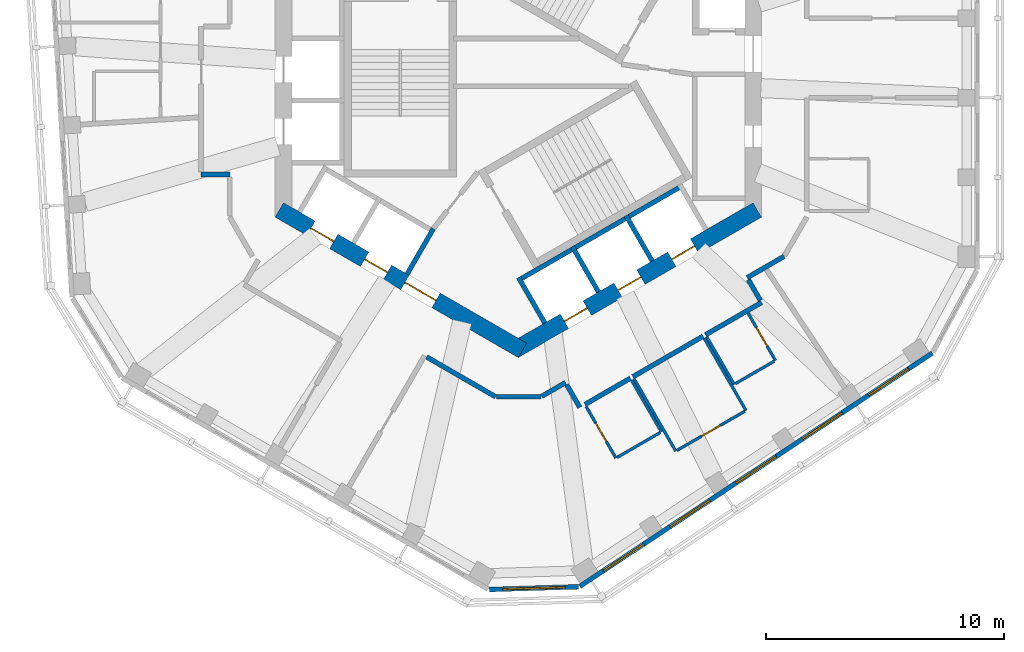
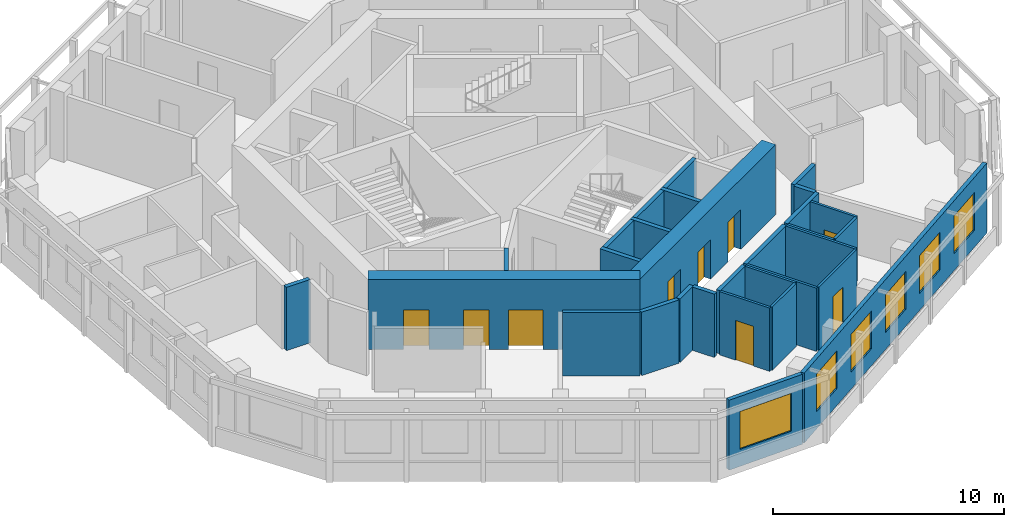
# One storey, part 4 of 11: 28 walls, 9 doors, 6 windows, 15 openings.
"""IFC4 building model written with IfcOpenShell, lengths in metres."""

from ifc_helpers import new_model, si_unit, direction, frame, frame_2d, origin, place, context, subcontext, project, spatial, rectangle, extrude, material, layer, layer_set, type_object, element, fill, save


model = new_model("IFC4")

# Units and contexts
model_context = context("Model", 3, precision=1e-05, world=origin(), true_north=direction((0.0, 1.0)))
body_context = subcontext(model_context, "Body", "Model", "MODEL_VIEW")
ifc_project = project(units=[si_unit("LENGTHUNIT", "METRE"), si_unit("AREAUNIT", "SQUARE_METRE"), si_unit("VOLUMEUNIT", "CUBIC_METRE"), si_unit("PLANEANGLEUNIT", "RADIAN"), si_unit("MASSUNIT", "GRAM", prefix="KILO")], contexts=[model_context])

# Site, building, storey
site_placement = place(None, origin())
site = spatial("IfcSite", under=ifc_project, at=site_placement, CompositionType="ELEMENT")
building_placement = place(site_placement, origin())
building = spatial("IfcBuilding", under=site, at=building_placement, Name="Vanh Sen Convention Tower", CompositionType="ELEMENT")
storey_placement = place(building_placement, frame((0.0, 0.0, 296.800048828125)))
storey = spatial("IfcBuildingStorey", under=building, at=storey_placement, Name="L73", CompositionType="ELEMENT", Elevation=296.800048828125)

# Wall, opening, door
ifc_material_1 = material(Name="Moisture-resistant gypsum board on steel studs", Category="steel")
ifc_layer_1 = layer(ifc_material_1, 0.1201171875)
ifc_layer_set_1 = layer_set([ifc_layer_1], Name="Moisture-resistant gypsum board on steel studs")
wall_type_1 = type_object("IfcWallType", Name="Bathroom partition 120", PredefinedType="PARTITIONING", material=ifc_layer_set_1)
wall_1_placement = place(storey_placement, frame((4.095703125, -15.99609375, 0.0), z_axis=(0.0, 0.0, 1.0), x_axis=(-0.500004234368, 0.866022959057, 0.0)))
wall_1 = element("IfcWall", 1, at=wall_1_placement, inside=storey, type_object=wall_type_1, Name="Bathroom partition 120", PredefinedType="PARTITIONING", context=body_context, shape_type="SweptSolid", body=[
    extrude(rectangle(XDim=2.5, YDim=0.1201171875, at=frame_2d((1.25, 0.0))), origin(), (0.0, 0.0, 1.0), 3.349853515625),
])
opening_1_placement = place(wall_1_placement, frame((0.800048828125, 0.0, 0.0)))
opening_1 = element("IfcOpeningElement", 2, at=opening_1_placement, cuts=wall_1, Name="Opening D72116", PredefinedType="OPENING", context=body_context, shape_type="SweptSolid", body=[
    extrude(rectangle(XDim=0.89990234375, YDim=2.10009765625, at=frame_2d((0.449951171875, 1.050048828125))), frame((0.0, 0.070068359375, 0.0), z_axis=(0.0, -1.0, 0.0), x_axis=(1.0, 0.0, 0.0)), (0.0, 0.0, 1.0), 0.14013671875),
])
ifc_material_2 = material(Name="Laminate door in steel frame", Category="steel")
door_type_1 = type_object("IfcDoorType", Name="Room internal door 900", OperationType="SINGLE_SWING_LEFT", PredefinedType="DOOR", material=ifc_material_2)
door_1_placement = place(opening_1_placement, origin())
door_1 = element("IfcDoor", 3, at=door_1_placement, inside=storey, type_object=door_type_1, Name="Internal room door D72116", OperationType="SINGLE_SWING_LEFT", OverallHeight=2.10009765625, OverallWidth=0.89990234375, PredefinedType="DOOR", context=body_context, shape_type="SweptSolid", body=[
    extrude(rectangle(XDim=0.89990234375, YDim=2.10009765625, at=frame_2d((0.449951171875, 1.050048828125))), frame((0.0, 0.02490234375, 0.0), z_axis=(0.0, -1.0, 0.0), x_axis=(1.0, 0.0, 0.0)), (0.0, 0.0, 1.0), 0.050048828125),
])
fill(opening_1, door_1)

# Walls
wall_2_placement = place(storey_placement, frame((4.751220703125, -12.731201171875, 0.0), z_axis=(0.0, 0.0, 1.0), x_axis=(0.500004234368, -0.866022959057, 0.0)))
element("IfcWall", 4, at=wall_2_placement, inside=storey, type_object=wall_type_1, Name="Bathroom partition 120", PredefinedType="PARTITIONING", context=body_context, shape_type="SweptSolid", body=[
    extrude(rectangle(XDim=2.5, YDim=0.1201171875, at=frame_2d((1.25, 0.0))), origin(), (0.0, 0.0, 1.0), 3.349853515625),
])
wall_3_placement = place(storey_placement, frame((5.94921875, -14.92626953125, 0.0), z_axis=(0.0, 0.0, 1.0), x_axis=(-0.866039004929, -0.499976441387, 0.0)))
element("IfcWall", 5, at=wall_3_placement, inside=storey, type_object=wall_type_1, Name="Bathroom partition 120", PredefinedType="PARTITIONING", context=body_context, shape_type="SweptSolid", body=[
    extrude(rectangle(XDim=2.080078125, YDim=0.1201171875, at=frame_2d((1.0400390625, 0.0))), origin(), (0.0, 0.0, 1.0), 3.349853515625),
])
for number, where, z_axis, x_axis, name in (
    (6, (6.60498046875, -15.7021484375, 0.0), (0.0, 0.0, 1.0), (-0.500010275428, 0.866019471182, 0.0), "Bathroom partition 120"),
    (7, (7.799560546875, -10.97119140625, 0.0), (0.0, 0.0, 1.0), (0.500010275428, -0.866019471182, 0.0), "Bathroom partition 120"),
):
    element("IfcWall", number, at=place(storey_placement, frame(where, z_axis=z_axis, x_axis=x_axis)), inside=storey, type_object=wall_type_1, Name=name, PredefinedType="PARTITIONING", context=body_context, shape_type="SweptSolid", body=[
        extrude(rectangle(XDim=3.5, YDim=0.1201171875, at=frame_2d((1.75, 0.0))), origin(), (0.0, 0.0, 1.0), 3.349853515625),
    ])
wall_4_placement = place(storey_placement, frame((9.053466796875, -12.903076171875, 0.0), z_axis=(0.0, 0.0, 1.0), x_axis=(-0.500031774688, 0.866007057882, 0.0)))
element("IfcWall", 8, at=wall_4_placement, inside=storey, type_object=wall_type_1, Name="Bathroom partition 120", PredefinedType="PARTITIONING", context=body_context, shape_type="SweptSolid", body=[
    extrude(rectangle(XDim=2.300048828125, YDim=0.1201171875, at=frame_2d((1.14990234375, 0.0))), origin(), (0.0, 0.0, 1.0), 3.349853515625),
])

# Wall, opening, door
wall_5_placement = place(storey_placement, frame((9.49755859375, -14.0322265625, 0.0), z_axis=(0.0, 0.0, 1.0), x_axis=(-0.866040564224, -0.499973740429, 0.0)))
wall_5 = element("IfcWall", 9, at=wall_5_placement, inside=storey, type_object=wall_type_1, Name="Bathroom partition 120", PredefinedType="PARTITIONING", context=body_context, shape_type="SweptSolid", body=[
    extrude(rectangle(XDim=3.280029296875, YDim=0.1201171875, at=frame_2d((1.64013671875, 0.0))), origin(), (0.0, 0.0, 1.0), 3.349853515625),
])
opening_2_placement = place(wall_5_placement, frame((1.18994140625, 0.0, 0.0)))
opening_2 = element("IfcOpeningElement", 10, at=opening_2_placement, cuts=wall_5, Name="Opening D72117", PredefinedType="OPENING", context=body_context, shape_type="SweptSolid", body=[
    extrude(rectangle(XDim=0.89990234375, YDim=2.10009765625, at=frame_2d((0.449951171875, 1.050048828125))), frame((0.0, 0.070068359375, 0.0), z_axis=(0.0, -1.0, 0.0), x_axis=(1.0, 0.0, 0.0)), (0.0, 0.0, 1.0), 0.14013671875),
])
door_2_placement = place(opening_2_placement, origin())
door_2 = element("IfcDoor", 11, at=door_2_placement, inside=storey, type_object=door_type_1, Name="Internal room door D72117", OperationType="SINGLE_SWING_LEFT", OverallHeight=2.10009765625, OverallWidth=0.89990234375, PredefinedType="DOOR", context=body_context, shape_type="SweptSolid", body=[
    extrude(rectangle(XDim=0.89990234375, YDim=2.10009765625, at=frame_2d((0.449951171875, 1.050048828125))), frame((0.0, 0.02490234375, 0.0), z_axis=(0.0, -1.0, 0.0), x_axis=(1.0, 0.0, 0.0)), (0.0, 0.0, 1.0), 0.050048828125),
])
fill(opening_2, door_2)

wall_6_placement = place(storey_placement, frame((9.635498046875, -9.9111328125, 0.0), z_axis=(0.0, 0.0, 1.0), x_axis=(0.499952165731, -0.866053019151, 0.0)))
wall_6 = element("IfcWall", 12, at=wall_6_placement, inside=storey, type_object=wall_type_1, Name="Bathroom partition 120", PredefinedType="PARTITIONING", context=body_context, shape_type="SweptSolid", body=[
    extrude(rectangle(XDim=2.300048828125, YDim=0.1201171875, at=frame_2d((1.14990234375, 0.0))), origin(), (0.0, 0.0, 1.0), 3.349853515625),
])
opening_3_placement = place(wall_6_placement, frame((0.699951171875, 0.0, 0.0)))
opening_3 = element("IfcOpeningElement", 13, at=opening_3_placement, cuts=wall_6, Name="Opening D72118", PredefinedType="OPENING", context=body_context, shape_type="SweptSolid", body=[
    extrude(rectangle(XDim=0.89990234375, YDim=2.10009765625, at=frame_2d((0.449951171875, 1.050048828125))), frame((0.0, 0.070068359375, 0.0), z_axis=(0.0, -1.0, 0.0), x_axis=(1.0, 0.0, 0.0)), (0.0, 0.0, 1.0), 0.14013671875),
])
door_3_placement = place(opening_3_placement, origin())
door_3 = element("IfcDoor", 14, at=door_3_placement, inside=storey, type_object=door_type_1, Name="Internal room door D72118", OperationType="SINGLE_SWING_LEFT", OverallHeight=2.10009765625, OverallWidth=0.89990234375, PredefinedType="DOOR", context=body_context, shape_type="SweptSolid", body=[
    extrude(rectangle(XDim=0.89990234375, YDim=2.10009765625, at=frame_2d((0.449951171875, 1.050048828125))), frame((0.0, 0.02490234375, 0.0), z_axis=(0.0, -1.0, 0.0), x_axis=(1.0, 0.0, 0.0)), (0.0, 0.0, 1.0), 0.050048828125),
])
fill(opening_3, door_3)

# Wall
wall_7_placement = place(storey_placement, frame((10.7333984375, -11.93310546875, 0.0), z_axis=(0.0, 0.0, 1.0), x_axis=(-0.866012558475, -0.500022248069, 0.0)))
element("IfcWall", 15, at=wall_7_placement, inside=storey, type_object=wall_type_1, Name="Bathroom partition 120", PredefinedType="PARTITIONING", context=body_context, shape_type="SweptSolid", body=[
    extrude(rectangle(XDim=1.8798828125, YDim=0.1201171875, at=frame_2d((0.93994140625, 0.0))), origin(), (0.0, 0.0, 1.0), 3.349853515625),
])

# Wall, openings, doors
ifc_material_3 = material(Name="Concrete C60/75", Category="concrete")
ifc_layer_2 = layer(ifc_material_3, 0.699951171875)
ifc_layer_set_2 = layer_set([ifc_layer_2], Name="Concrete C60/75")
wall_type_2 = type_object("IfcWallType", Name="Core outer wall 700 C60/75", PredefinedType="SHEAR", material=ifc_layer_set_2)
wall_8_placement = place(storey_placement, frame((-10.02490234375, -5.5859375, 0.0), z_axis=(0.0, 0.0, 1.0), x_axis=(0.866026453023, -0.499998182661, 0.0)))
wall_8 = element("IfcWall", 16, at=wall_8_placement, inside=storey, type_object=wall_type_2, Name="Core wall face SW L73", PredefinedType="SHEAR", context=body_context, shape_type="SweptSolid", body=[
    extrude(rectangle(XDim=11.77783203125, YDim=0.699951171875, at=frame_2d((5.888916015625, 0.0))), origin(), (0.0, 0.0, 1.0), 3.699951171875),
])
opening_4_placement = place(wall_8_placement, frame((6.089111328125, 0.0, 0.0)))
opening_4 = element("IfcOpeningElement", 17, at=opening_4_placement, cuts=wall_8, Name="Opening D72003", PredefinedType="OPENING", context=body_context, shape_type="SweptSolid", body=[
    extrude(rectangle(XDim=1.5, YDim=2.10009765625, at=frame_2d((0.75, 1.050048828125))), frame((0.0, 0.35986328125, 0.0), z_axis=(0.0, -1.0, 0.0), x_axis=(1.0, 0.0, 0.0)), (0.0, 0.0, 1.0), 0.719970703125),
])
opening_5_placement = place(wall_8_placement, frame((1.5390625, 0.0, 0.0)))
opening_5 = element("IfcOpeningElement", 18, at=opening_5_placement, cuts=wall_8, Name="Opening LD-HR3", PredefinedType="OPENING", context=body_context, shape_type="SweptSolid", body=[
    extrude(rectangle(XDim=1.10009765625, YDim=2.10009765625, at=frame_2d((0.550048828125, 1.050048828125))), frame((0.0, 0.35986328125, 0.0), z_axis=(0.0, -1.0, 0.0), x_axis=(1.0, 0.0, 0.0)), (0.0, 0.0, 1.0), 0.719970703125),
])
opening_6_placement = place(wall_8_placement, frame((4.138916015625, 0.0, 0.0)))
opening_6 = element("IfcOpeningElement", 19, at=opening_6_placement, cuts=wall_8, Name="Opening LD-HR4", PredefinedType="OPENING", context=body_context, shape_type="SweptSolid", body=[
    extrude(rectangle(XDim=1.10009765625, YDim=2.10009765625, at=frame_2d((0.550048828125, 1.050048828125))), frame((0.0, 0.35986328125, 0.0), z_axis=(0.0, -1.0, 0.0), x_axis=(1.0, 0.0, 0.0)), (0.0, 0.0, 1.0), 0.719970703125),
])
ifc_material_4 = material(Name="Stainless steel", Category="steel")
door_type_2 = type_object("IfcDoorType", Name="Lift landing door 1100", OperationType="DOUBLE_DOOR_SLIDING", PredefinedType="DOOR", material=ifc_material_4)
door_4_placement = place(opening_5_placement, origin())
door_4 = element("IfcDoor", 20, at=door_4_placement, inside=storey, type_object=door_type_2, Name="Lift HR3 landing door LD-HR3", OperationType="DOUBLE_DOOR_SLIDING", OverallHeight=2.10009765625, OverallWidth=1.10009765625, PredefinedType="DOOR", context=body_context, shape_type="SweptSolid", body=[
    extrude(rectangle(XDim=1.10009765625, YDim=2.10009765625, at=frame_2d((0.550048828125, 1.050048828125))), frame((0.0, 0.02490234375, 0.0), z_axis=(0.0, -1.0, 0.0), x_axis=(1.0, 0.0, 0.0)), (0.0, 0.0, 1.0), 0.050048828125),
])
fill(opening_5, door_4)
door_5_placement = place(opening_6_placement, origin())
door_5 = element("IfcDoor", 21, at=door_5_placement, inside=storey, type_object=door_type_2, Name="Lift HR4 landing door LD-HR4", OperationType="DOUBLE_DOOR_SLIDING", OverallHeight=2.10009765625, OverallWidth=1.10009765625, PredefinedType="DOOR", context=body_context, shape_type="SweptSolid", body=[
    extrude(rectangle(XDim=1.10009765625, YDim=2.10009765625, at=frame_2d((0.550048828125, 1.050048828125))), frame((0.0, 0.02490234375, 0.0), z_axis=(0.0, -1.0, 0.0), x_axis=(1.0, 0.0, 0.0)), (0.0, 0.0, 1.0), 0.050048828125),
])
fill(opening_6, door_5)
ifc_material_5 = material(Name="Steel S355", Category="steel")
door_type_3 = type_object("IfcDoorType", Name="Stair lobby door 1500", OperationType="DOUBLE_DOOR_SINGLE_SWING", PredefinedType="DOOR", material=ifc_material_5)
door_6_placement = place(opening_4_placement, origin())
door_6 = element("IfcDoor", 22, at=door_6_placement, inside=storey, type_object=door_type_3, Name="Stair lobby door D72003", OperationType="DOUBLE_DOOR_SINGLE_SWING", OverallHeight=2.10009765625, OverallWidth=1.5, PredefinedType="DOOR", context=body_context, shape_type="SweptSolid", body=[
    extrude(rectangle(XDim=1.5, YDim=2.10009765625, at=frame_2d((0.75, 1.050048828125))), frame((0.0, 0.02490234375, 0.0), z_axis=(0.0, -1.0, 0.0), x_axis=(1.0, 0.0, 0.0)), (0.0, 0.0, 1.0), 0.050048828125),
])
fill(opening_4, door_6)

wall_9_placement = place(storey_placement, frame((-0.175048828125, -11.474853515625, 0.0), z_axis=(0.0, 0.0, 1.0), x_axis=(0.866026453023, 0.499998182661, 0.0)))
wall_9 = element("IfcWall", 23, at=wall_9_placement, inside=storey, type_object=wall_type_2, Name="Core wall face SE L73", PredefinedType="SHEAR", context=body_context, shape_type="SweptSolid", body=[
    extrude(rectangle(XDim=11.77783203125, YDim=0.699951171875, at=frame_2d((5.888916015625, 0.0))), origin(), (0.0, 0.0, 1.0), 3.699951171875),
])
opening_7_placement = place(wall_9_placement, frame((2.43896484375, 0.0, 0.0)))
opening_7 = element("IfcOpeningElement", 24, at=opening_7_placement, cuts=wall_9, Name="Opening LD-HR5", PredefinedType="OPENING", context=body_context, shape_type="SweptSolid", body=[
    extrude(rectangle(XDim=1.10009765625, YDim=2.10009765625, at=frame_2d((0.550048828125, 1.050048828125))), frame((0.0, 0.35986328125, 0.0), z_axis=(0.0, -1.0, 0.0), x_axis=(1.0, 0.0, 0.0)), (0.0, 0.0, 1.0), 0.719970703125),
])
opening_8_placement = place(wall_9_placement, frame((5.0390625, 0.0, 0.0)))
opening_8 = element("IfcOpeningElement", 25, at=opening_8_placement, cuts=wall_9, Name="Opening LD-HR6", PredefinedType="OPENING", context=body_context, shape_type="SweptSolid", body=[
    extrude(rectangle(XDim=1.10009765625, YDim=2.10009765625, at=frame_2d((0.550048828125, 1.050048828125))), frame((0.0, 0.35986328125, 0.0), z_axis=(0.0, -1.0, 0.0), x_axis=(1.0, 0.0, 0.0)), (0.0, 0.0, 1.0), 0.719970703125),
])
opening_9_placement = place(wall_9_placement, frame((7.638916015625, 0.0, 0.0)))
opening_9 = element("IfcOpeningElement", 26, at=opening_9_placement, cuts=wall_9, Name="Opening LD-SV1", PredefinedType="OPENING", context=body_context, shape_type="SweptSolid", body=[
    extrude(rectangle(XDim=1.10009765625, YDim=2.10009765625, at=frame_2d((0.550048828125, 1.050048828125))), frame((0.0, 0.35986328125, 0.0), z_axis=(0.0, -1.0, 0.0), x_axis=(1.0, 0.0, 0.0)), (0.0, 0.0, 1.0), 0.719970703125),
])
door_7_placement = place(opening_7_placement, origin())
door_7 = element("IfcDoor", 27, at=door_7_placement, inside=storey, type_object=door_type_2, Name="Lift HR5 landing door LD-HR5", OperationType="DOUBLE_DOOR_SLIDING", OverallHeight=2.10009765625, OverallWidth=1.10009765625, PredefinedType="DOOR", context=body_context, shape_type="SweptSolid", body=[
    extrude(rectangle(XDim=1.10009765625, YDim=2.10009765625, at=frame_2d((0.550048828125, 1.050048828125))), frame((0.0, 0.02490234375, 0.0), z_axis=(0.0, -1.0, 0.0), x_axis=(1.0, 0.0, 0.0)), (0.0, 0.0, 1.0), 0.050048828125),
])
fill(opening_7, door_7)
door_8_placement = place(opening_8_placement, origin())
door_8 = element("IfcDoor", 28, at=door_8_placement, inside=storey, type_object=door_type_2, Name="Lift HR6 landing door LD-HR6", OperationType="DOUBLE_DOOR_SLIDING", OverallHeight=2.10009765625, OverallWidth=1.10009765625, PredefinedType="DOOR", context=body_context, shape_type="SweptSolid", body=[
    extrude(rectangle(XDim=1.10009765625, YDim=2.10009765625, at=frame_2d((0.550048828125, 1.050048828125))), frame((0.0, 0.02490234375, 0.0), z_axis=(0.0, -1.0, 0.0), x_axis=(1.0, 0.0, 0.0)), (0.0, 0.0, 1.0), 0.050048828125),
])
fill(opening_8, door_8)
door_9_placement = place(opening_9_placement, origin())
door_9 = element("IfcDoor", 29, at=door_9_placement, inside=storey, type_object=door_type_2, Name="Lift SV1 landing door LD-SV1", OperationType="DOUBLE_DOOR_SLIDING", OverallHeight=2.10009765625, OverallWidth=1.10009765625, PredefinedType="DOOR", context=body_context, shape_type="SweptSolid", body=[
    extrude(rectangle(XDim=1.10009765625, YDim=2.10009765625, at=frame_2d((0.550048828125, 1.050048828125))), frame((0.0, 0.02490234375, 0.0), z_axis=(0.0, -1.0, 0.0), x_axis=(1.0, 0.0, 0.0)), (0.0, 0.0, 1.0), 0.050048828125),
])
fill(opening_9, door_9)

# Walls
ifc_material_6 = material(Name="Gypsum board on steel studs with mineral wool", Category="steel")
ifc_layer_3 = layer(ifc_material_6, 0.199951171875)
ifc_layer_set_3 = layer_set([ifc_layer_3], Name="Gypsum board on steel studs with mineral wool")
wall_type_3 = type_object("IfcWallType", Name="Corridor partition wall 200", PredefinedType="PARTITIONING", material=ifc_layer_set_3)
wall_10_placement = place(storey_placement, frame((-13.301025390625, -4.10107421875, 0.0), z_axis=(0.0, 0.0, 1.0), x_axis=(1.0, 0.0, 0.0)))
element("IfcWall", 30, at=wall_10_placement, inside=storey, type_object=wall_type_3, Name="Corridor partition wall 200", PredefinedType="PARTITIONING", context=body_context, shape_type="SweptSolid", body=[
    extrude(rectangle(XDim=1.200927734375, YDim=0.199951171875, at=frame_2d((0.6005859375, 0.0))), origin(), (0.0, 0.0, 1.0), 3.349853515625),
])
wall_11_placement = place(storey_placement, frame((-3.84326171875, -11.7529296875, 0.0), z_axis=(0.0, 0.0, 1.0), x_axis=(0.866031037473, -0.499990242038, 0.0)))
element("IfcWall", 31, at=wall_11_placement, inside=storey, type_object=wall_type_3, Name="Corridor partition wall 200", PredefinedType="PARTITIONING", context=body_context, shape_type="SweptSolid", body=[
    extrude(rectangle(XDim=3.3408203125, YDim=0.199951171875, at=frame_2d((1.67041015625, 0.0))), origin(), (0.0, 0.0, 1.0), 3.349853515625),
])
wall_12_placement = place(storey_placement, frame((-0.909912109375, -13.42333984375, 0.0), z_axis=(0.0, 0.0, 1.0), x_axis=(1.0, 0.0, 0.0)))
element("IfcWall", 32, at=wall_12_placement, inside=storey, type_object=wall_type_3, Name="Corridor partition wall 200", PredefinedType="PARTITIONING", context=body_context, shape_type="SweptSolid", body=[
    extrude(rectangle(XDim=1.85986328125, YDim=0.199951171875, at=frame_2d((0.929931640625, 0.0))), origin(), (0.0, 0.0, 1.0), 3.349853515625),
])
wall_13_placement = place(storey_placement, frame((0.984619140625, -13.4033203125, 0.0), z_axis=(0.0, 0.0, 1.0), x_axis=(0.866022668282, 0.500004737999, 0.0)))
element("IfcWall", 33, at=wall_13_placement, inside=storey, type_object=wall_type_3, Name="Corridor partition wall 200", PredefinedType="PARTITIONING", context=body_context, shape_type="SweptSolid", body=[
    extrude(rectangle(XDim=1.14794921875, YDim=0.199951171875, at=frame_2d((0.573974609375, 0.0))), origin(), (0.0, 0.0, 1.0), 3.349853515625),
])
wall_14_placement = place(storey_placement, frame((2.02880859375, -12.916015625, 0.0), z_axis=(0.0, 0.0, 1.0), x_axis=(0.500074377092, -0.865982457891, 0.0)))
element("IfcWall", 34, at=wall_14_placement, inside=storey, type_object=wall_type_3, Name="Corridor partition wall 200", PredefinedType="PARTITIONING", context=body_context, shape_type="SweptSolid", body=[
    extrude(rectangle(XDim=1.100830078125, YDim=0.199951171875, at=frame_2d((0.55029296875, 0.0))), origin(), (0.0, 0.0, 1.0), 3.349853515625),
])
wall_15_placement = place(storey_placement, frame((2.7958984375, -13.744384765625, 0.0), z_axis=(0.0, 0.0, 1.0), x_axis=(0.86605622881, 0.499946605688, 0.0)))
element("IfcWall", 35, at=wall_15_placement, inside=storey, type_object=wall_type_3, Name="Corridor partition wall 200", PredefinedType="PARTITIONING", context=body_context, shape_type="SweptSolid", body=[
    extrude(rectangle(XDim=2.199951171875, YDim=0.199951171875, at=frame_2d((1.10009765625, 0.0))), origin(), (0.0, 0.0, 1.0), 3.349853515625),
])
wall_16_placement = place(storey_placement, frame((4.804931640625, -12.58447265625, 0.0), z_axis=(0.0, 0.0, 1.0), x_axis=(0.866038511948, 0.499977295307, 0.0)))
element("IfcWall", 36, at=wall_16_placement, inside=storey, type_object=wall_type_3, Name="Corridor partition wall 200", PredefinedType="PARTITIONING", context=body_context, shape_type="SweptSolid", body=[
    extrude(rectangle(XDim=3.400146484375, YDim=0.199951171875, at=frame_2d((1.7001953125, 0.0))), origin(), (0.0, 0.0, 1.0), 3.349853515625),
])
wall_17_placement = place(storey_placement, frame((7.853515625, -10.824462890625, 0.0), z_axis=(0.0, 0.0, 1.0), x_axis=(0.866029675718, 0.499992600721, 0.0)))
element("IfcWall", 37, at=wall_17_placement, inside=storey, type_object=wall_type_3, Name="Corridor partition wall 200", PredefinedType="PARTITIONING", context=body_context, shape_type="SweptSolid", body=[
    extrude(rectangle(XDim=2.7119140625, YDim=0.199951171875, at=frame_2d((1.35595703125, 0.0))), origin(), (0.0, 0.0, 1.0), 3.349853515625),
])
wall_18_placement = place(storey_placement, frame((9.6015625, -8.428466796875, 0.0), z_axis=(0.0, 0.0, 1.0), x_axis=(0.865999114786, 0.500045531117, 0.0)))
element("IfcWall", 38, at=wall_18_placement, inside=storey, type_object=wall_type_3, Name="Corridor partition wall 200", PredefinedType="PARTITIONING", context=body_context, shape_type="SweptSolid", body=[
    extrude(rectangle(XDim=1.787841796875, YDim=0.199951171875, at=frame_2d((0.89404296875, 0.0))), origin(), (0.0, 0.0, 1.0), 3.349853515625),
])
wall_19_placement = place(storey_placement, frame((10.152099609375, -9.3818359375, 0.0), z_axis=(0.0, 0.0, 1.0), x_axis=(-0.499968756647, 0.866043441391, 0.0)))
element("IfcWall", 39, at=wall_19_placement, inside=storey, type_object=wall_type_3, Name="Corridor partition wall 200", PredefinedType="PARTITIONING", context=body_context, shape_type="SweptSolid", body=[
    extrude(rectangle(XDim=1.0009765625, YDim=0.199951171875, at=frame_2d((0.50048828125, 0.0))), origin(), (0.0, 0.0, 1.0), 3.349853515625),
])

# Wall, opening, window
ifc_material_7 = material(Name="Insulated lightweight infill wall")
ifc_layer_4 = layer(ifc_material_7, 0.199951171875)
ifc_layer_set_4 = layer_set([ifc_layer_4], Name="Insulated lightweight infill wall")
wall_type_4 = type_object("IfcWallType", Name="External wall 200", PredefinedType="STANDARD", material=ifc_layer_set_4)
wall_20_placement = place(storey_placement, frame((-1.21728515625, -21.508056640625, 0.0), z_axis=(0.0, 0.0, 1.0), x_axis=(0.99953295295, 0.030559384285, 0.0)))
wall_20 = element("IfcWall", 40, at=wall_20_placement, inside=storey, type_object=wall_type_4, Name="External wall CH5 L73", PredefinedType="STANDARD", context=body_context, shape_type="SweptSolid", body=[
    extrude(rectangle(XDim=3.746826171875, YDim=0.199951171875, at=frame_2d((1.87353515625, 0.0))), origin(), (0.0, 0.0, 1.0), 3.699951171875),
])
opening_10_placement = place(wall_20_placement, frame((0.573486328125, 0.0, 0.89990234375)))
opening_10 = element("IfcOpeningElement", 41, at=opening_10_placement, cuts=wall_20, Name="Opening WO6-CH51", PredefinedType="OPENING", context=body_context, shape_type="SweptSolid", body=[
    extrude(rectangle(XDim=2.60009765625, YDim=2.0, at=frame_2d((1.300048828125, 1.0))), frame((0.0, 0.10986328125, 0.0), z_axis=(0.0, -1.0, 0.0), x_axis=(1.0, 0.0, 0.0)), (0.0, 0.0, 1.0), 0.219970703125),
])
ifc_material_8 = material(Name="Aluminium frame with clear low-emissivity glass", Category="aluminium")
window_type_1 = type_object("IfcWindowType", Name="Office window 2600 x 2000", PartitioningType="SINGLE_PANEL", PredefinedType="WINDOW", material=ifc_material_8)
window_1_placement = place(opening_10_placement, origin())
window_1 = element("IfcWindow", 42, at=window_1_placement, inside=storey, type_object=window_type_1, Name="Window WO6-CH51", OverallHeight=2.0, OverallWidth=2.60009765625, PartitioningType="SINGLE_PANEL", PredefinedType="WINDOW", context=body_context, shape_type="SweptSolid", body=[
    extrude(rectangle(XDim=2.60009765625, YDim=2.0, at=frame_2d((1.300048828125, 1.0))), frame((0.0, 0.030029296875, 0.0), z_axis=(0.0, -1.0, 0.0), x_axis=(1.0, 0.0, 0.0)), (0.0, 0.0, 1.0), 0.06005859375),
])
fill(opening_10, window_1)

# Wall, openings, windows
wall_21_placement = place(storey_placement, frame((2.580078125, -21.376953125, 0.0), z_axis=(0.0, 0.0, 1.0), x_axis=(0.833888592176, 0.551932800112, 0.0)))
wall_21 = element("IfcWall", 43, at=wall_21_placement, inside=storey, type_object=wall_type_4, Name="External wall SE L73", PredefinedType="STANDARD", context=body_context, shape_type="SweptSolid", body=[
    extrude(rectangle(XDim=17.7314453125, YDim=0.199951171875, at=frame_2d((8.86572265625, 0.0))), origin(), (0.0, 0.0, 1.0), 3.699951171875),
])
opening_11_placement = place(wall_21_placement, frame((1.20166015625, 0.0, 0.89990234375)))
opening_11 = element("IfcOpeningElement", 44, at=opening_11_placement, cuts=wall_21, Name="Opening WO5-SE1", PredefinedType="OPENING", context=body_context, shape_type="SweptSolid", body=[
    extrude(rectangle(XDim=2.0, YDim=2.0, at=frame_2d((1.0, 1.0))), frame((0.0, 0.10986328125, 0.0), z_axis=(0.0, -1.0, 0.0), x_axis=(1.0, 0.0, 0.0)), (0.0, 0.0, 1.0), 0.219970703125),
])
opening_12_placement = place(wall_21_placement, frame((4.533203125, 0.0, 0.89990234375)))
opening_12 = element("IfcOpeningElement", 45, at=opening_12_placement, cuts=wall_21, Name="Opening WO5-SE2", PredefinedType="OPENING", context=body_context, shape_type="SweptSolid", body=[
    extrude(rectangle(XDim=2.0, YDim=2.0, at=frame_2d((1.0, 1.0))), frame((0.0, 0.10986328125, 0.0), z_axis=(0.0, -1.0, 0.0), x_axis=(1.0, 0.0, 0.0)), (0.0, 0.0, 1.0), 0.219970703125),
])
opening_13_placement = place(wall_21_placement, frame((7.864990234375, 0.0, 0.89990234375)))
opening_13 = element("IfcOpeningElement", 46, at=opening_13_placement, cuts=wall_21, Name="Opening WO5-SE3", PredefinedType="OPENING", context=body_context, shape_type="SweptSolid", body=[
    extrude(rectangle(XDim=2.0, YDim=2.0, at=frame_2d((1.0, 1.0))), frame((0.0, 0.10986328125, 0.0), z_axis=(0.0, -1.0, 0.0), x_axis=(1.0, 0.0, 0.0)), (0.0, 0.0, 1.0), 0.219970703125),
])
opening_14_placement = place(wall_21_placement, frame((11.196533203125, 0.0, 0.89990234375)))
opening_14 = element("IfcOpeningElement", 47, at=opening_14_placement, cuts=wall_21, Name="Opening WO5-SE4", PredefinedType="OPENING", context=body_context, shape_type="SweptSolid", body=[
    extrude(rectangle(XDim=2.0, YDim=2.0, at=frame_2d((1.0, 1.0))), frame((0.0, 0.10986328125, 0.0), z_axis=(0.0, -1.0, 0.0), x_axis=(1.0, 0.0, 0.0)), (0.0, 0.0, 1.0), 0.219970703125),
])
opening_15_placement = place(wall_21_placement, frame((14.528076171875, 0.0, 0.89990234375)))
opening_15 = element("IfcOpeningElement", 48, at=opening_15_placement, cuts=wall_21, Name="Opening WO5-SE5", PredefinedType="OPENING", context=body_context, shape_type="SweptSolid", body=[
    extrude(rectangle(XDim=2.0, YDim=2.0, at=frame_2d((1.0, 1.0))), frame((0.0, 0.10986328125, 0.0), z_axis=(0.0, -1.0, 0.0), x_axis=(1.0, 0.0, 0.0)), (0.0, 0.0, 1.0), 0.219970703125),
])
window_type_2 = type_object("IfcWindowType", Name="Office window 2000 x 2000", PartitioningType="SINGLE_PANEL", PredefinedType="WINDOW", material=ifc_material_8)
window_2_placement = place(opening_11_placement, origin())
window_2 = element("IfcWindow", 49, at=window_2_placement, inside=storey, type_object=window_type_2, Name="Window WO5-SE1", OverallHeight=2.0, OverallWidth=2.0, PartitioningType="SINGLE_PANEL", PredefinedType="WINDOW", context=body_context, shape_type="SweptSolid", body=[
    extrude(rectangle(XDim=2.0, YDim=2.0, at=frame_2d((1.0, 1.0))), frame((0.0, 0.030029296875, 0.0), z_axis=(0.0, -1.0, 0.0), x_axis=(1.0, 0.0, 0.0)), (0.0, 0.0, 1.0), 0.06005859375),
])
fill(opening_11, window_2)
window_3_placement = place(opening_12_placement, origin())
window_3 = element("IfcWindow", 50, at=window_3_placement, inside=storey, type_object=window_type_2, Name="Window WO5-SE2", OverallHeight=2.0, OverallWidth=2.0, PartitioningType="SINGLE_PANEL", PredefinedType="WINDOW", context=body_context, shape_type="SweptSolid", body=[
    extrude(rectangle(XDim=2.0, YDim=2.0, at=frame_2d((1.0, 1.0))), frame((0.0, 0.030029296875, 0.0), z_axis=(0.0, -1.0, 0.0), x_axis=(1.0, 0.0, 0.0)), (0.0, 0.0, 1.0), 0.06005859375),
])
fill(opening_12, window_3)
window_4_placement = place(opening_13_placement, origin())
window_4 = element("IfcWindow", 51, at=window_4_placement, inside=storey, type_object=window_type_2, Name="Window WO5-SE3", OverallHeight=2.0, OverallWidth=2.0, PartitioningType="SINGLE_PANEL", PredefinedType="WINDOW", context=body_context, shape_type="SweptSolid", body=[
    extrude(rectangle(XDim=2.0, YDim=2.0, at=frame_2d((1.0, 1.0))), frame((0.0, 0.030029296875, 0.0), z_axis=(0.0, -1.0, 0.0), x_axis=(1.0, 0.0, 0.0)), (0.0, 0.0, 1.0), 0.06005859375),
])
fill(opening_13, window_4)
window_5_placement = place(opening_14_placement, origin())
window_5 = element("IfcWindow", 52, at=window_5_placement, inside=storey, type_object=window_type_2, Name="Window WO5-SE4", OverallHeight=2.0, OverallWidth=2.0, PartitioningType="SINGLE_PANEL", PredefinedType="WINDOW", context=body_context, shape_type="SweptSolid", body=[
    extrude(rectangle(XDim=2.0, YDim=2.0, at=frame_2d((1.0, 1.0))), frame((0.0, 0.030029296875, 0.0), z_axis=(0.0, -1.0, 0.0), x_axis=(1.0, 0.0, 0.0)), (0.0, 0.0, 1.0), 0.06005859375),
])
fill(opening_14, window_5)
window_6_placement = place(opening_15_placement, origin())
window_6 = element("IfcWindow", 53, at=window_6_placement, inside=storey, type_object=window_type_2, Name="Window WO5-SE5", OverallHeight=2.0, OverallWidth=2.0, PartitioningType="SINGLE_PANEL", PredefinedType="WINDOW", context=body_context, shape_type="SweptSolid", body=[
    extrude(rectangle(XDim=2.0, YDim=2.0, at=frame_2d((1.0, 1.0))), frame((0.0, 0.030029296875, 0.0), z_axis=(0.0, -1.0, 0.0), x_axis=(1.0, 0.0, 0.0)), (0.0, 0.0, 1.0), 0.06005859375),
])
fill(opening_15, window_6)

# Walls
ifc_material_9 = material(Name="Concrete C40/50", Category="concrete")
ifc_layer_5 = layer(ifc_material_9, 0.199951171875)
ifc_layer_set_5 = layer_set([ifc_layer_5], Name="Concrete C40/50")
wall_type_5 = type_object("IfcWallType", Name="Lift shaft wall 200", PredefinedType="PARTITIONING", material=ifc_layer_set_5)
wall_22_placement = place(storey_placement, frame((-3.5634765625, -6.3720703125, 0.0), z_axis=(0.0, 0.0, 1.0), x_axis=(-0.499994660107, -0.866028486751, 0.0)))
element("IfcWall", 54, at=wall_22_placement, inside=storey, type_object=wall_type_5, Name="Lift shaft wall L73", PredefinedType="PARTITIONING", context=body_context, shape_type="SweptSolid", body=[
    extrude(rectangle(XDim=2.19970703125, YDim=0.199951171875, at=frame_2d((1.099853515625, 0.0))), origin(), (0.0, 0.0, 1.0), 3.349853515625),
])
wall_23_placement = place(storey_placement, frame((-0.02392578125, -8.55859375, 0.0), z_axis=(0.0, 0.0, 1.0), x_axis=(0.866026010844, 0.49999894854, 0.0)))
element("IfcWall", 55, at=wall_23_placement, inside=storey, type_object=wall_type_5, Name="Lift shaft wall L73", PredefinedType="PARTITIONING", context=body_context, shape_type="SweptSolid", body=[
    extrude(rectangle(XDim=8.0, YDim=0.199951171875, at=frame_2d((4.0, 0.0))), origin(), (0.0, 0.0, 1.0), 3.349853515625),
])
for number, where, z_axis, x_axis, name in (
    (56, (0.0126953125, -8.422119140625, 0.0), (0.0, 0.0, 1.0), (0.500077893725, -0.86598042715, 0.0), "Lift shaft wall L73"),
    (57, (2.264404296875, -7.1220703125, 0.0), (0.0, 0.0, 1.0), (0.500077893725, -0.86598042715, 0.0), "Lift shaft wall L73"),
    (58, (4.51611328125, -5.822021484375, 0.0), (0.0, 0.0, 1.0), (0.499946605688, -0.86605622881, 0.0), "Lift shaft wall L73"),
):
    element("IfcWall", number, at=place(storey_placement, frame(where, z_axis=z_axis, x_axis=x_axis)), inside=storey, type_object=wall_type_5, Name=name, PredefinedType="PARTITIONING", context=body_context, shape_type="SweptSolid", body=[
        extrude(rectangle(XDim=2.199951171875, YDim=0.199951171875, at=frame_2d((1.10009765625, 0.0))), origin(), (0.0, 0.0, 1.0), 3.349853515625),
    ])

save(model, "model.ifc")
